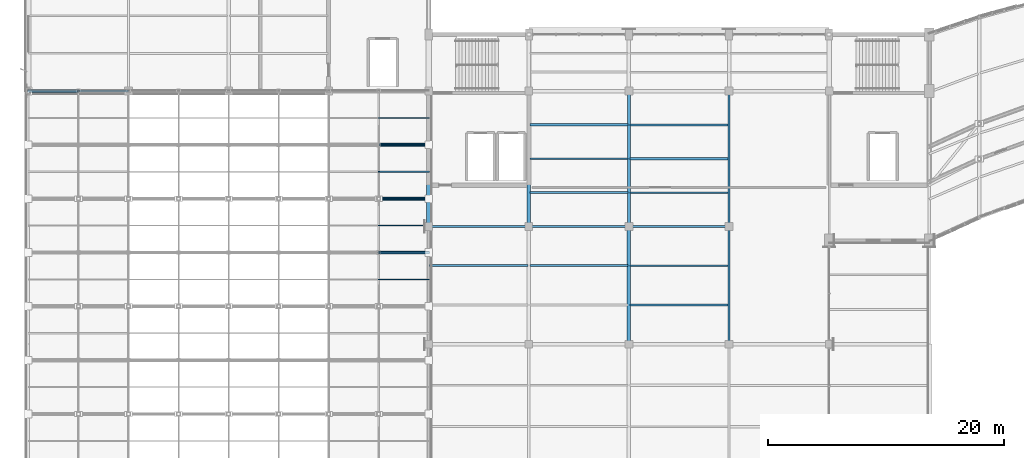
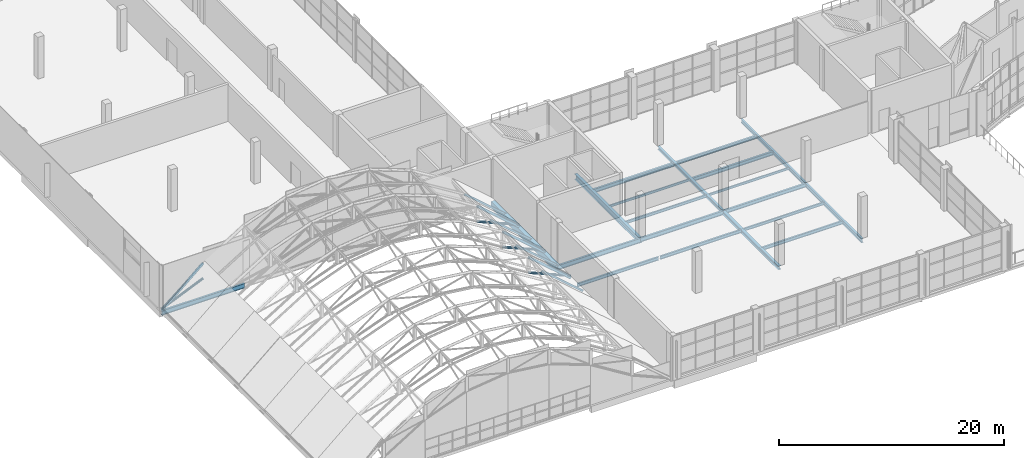
# One storey, part 23 of 86: 20 beams, 16 members.
"""IFC4 building model written with IfcOpenShell, lengths in metres."""

from ifc_helpers import new_model, si_unit, direction, frame, origin, origin_2d, place, context, subcontext, project, spatial, rectangle, hollow_circle, i_section, extrude, material, material_profile, profile_set, type_object, element, save


model = new_model("IFC4")

# Units and contexts
model_context = context("Model", 3, precision=1e-05, world=origin(), true_north=direction((0.0, 1.0)))
body_context = subcontext(model_context, "Body", "Model", "MODEL_VIEW")
ifc_project = project(units=[si_unit("LENGTHUNIT", "METRE"), si_unit("AREAUNIT", "SQUARE_METRE"), si_unit("VOLUMEUNIT", "CUBIC_METRE"), si_unit("PLANEANGLEUNIT", "RADIAN"), si_unit("MASSUNIT", "GRAM", prefix="KILO")], contexts=[model_context])

# Site, building, storey
site_placement = place(None, origin())
site = spatial("IfcSite", under=ifc_project, at=site_placement, CompositionType="ELEMENT")
building_placement = place(site_placement, origin())
building = spatial("IfcBuilding", under=site, at=building_placement, Name="Solvikara Media Centre", CompositionType="ELEMENT")
storey_placement = place(building_placement, frame((0.0, 0.0, 15.0)))
storey = spatial("IfcBuildingStorey", under=building, at=storey_placement, Name="L03", CompositionType="ELEMENT", Elevation=15.0)

# Beams
ifc_material_1 = material(Name="Concrete fc' 35 MPa (C35/45)", Category="concrete")
ifc_material_profile_1 = material_profile(ifc_material_1, rectangle(XDim=0.39990234375, YDim=0.699951171875, at=origin_2d()), Name="RC 400x700")
ifc_profile_set_1 = profile_set([ifc_material_profile_1], Name="Concrete fc' 35 MPa (C35/45)")
beam_type_1 = type_object("IfcBeamType", Name="BM-13", PredefinedType="SPANDREL", material=ifc_profile_set_1)
beam_1_placement = place(storey_placement, frame((34.0, 20.5, -0.6298828125), z_axis=(0.0, 1.0, 0.0), x_axis=(-1.0, 0.0, 0.0)))
element("IfcBeam", 1, at=beam_1_placement, inside=storey, type_object=beam_type_1, Name="B-L03-Y1255", PredefinedType="SPANDREL", context=body_context, shape_type="SweptSolid", body=[
    extrude(rectangle(XDim=0.39990234375, YDim=0.699951171875, at=origin_2d()), origin(), (0.0, 0.0, 1.0), 11.5),
])
ifc_material_2 = material(Name="Steel S355JR", Category="steel")
ifc_material_profile_2 = material_profile(ifc_material_2, i_section(OverallWidth=0.199951171875, OverallDepth=0.5, WebThickness=0.010009765625, FlangeThickness=0.01611328125, at=origin_2d()), Name="WF 500x200x10x16")
ifc_profile_set_2 = profile_set([ifc_material_profile_2], Name="Steel S355JR")
beam_type_2 = type_object("IfcBeamType", Name="BM-19", PredefinedType="BEAM", material=ifc_profile_set_2)
beam_2_placement = place(storey_placement, frame((0.0, 32.0, -0.511962890625), z_axis=(1.0, 0.0, 0.0), x_axis=(0.0, 1.0, 0.0)))
element("IfcBeam", 2, at=beam_2_placement, inside=storey, type_object=beam_type_2, Name="B-L03-X1179", PredefinedType="BEAM", context=body_context, shape_type="SweptSolid", body=[
    extrude(i_section(OverallWidth=0.199951171875, OverallDepth=0.5, WebThickness=0.010009765625, FlangeThickness=0.01611328125, at=origin_2d()), origin(), (0.0, 0.0, 1.0), 8.5),
])
ifc_material_profile_3 = material_profile(ifc_material_2, i_section(OverallWidth=0.199951171875, OverallDepth=0.39990234375, WebThickness=0.008056640625, FlangeThickness=0.012939453125, at=origin_2d()), Name="WF 400x200x8x13")
ifc_profile_set_3 = profile_set([ifc_material_profile_3], Name="Steel S355JR")
beam_type_3 = type_object("IfcBeamType", Name="BM-21", PredefinedType="JOIST", material=ifc_profile_set_3)
for number, where, z_axis, x_axis, name in (
    (3, (42.577880859375, 29.125, -0.48193359375), (1.0, 0.0, 0.0), (0.0, 1.0, 0.0), "J-L03-1385"),
    (4, (51.077880859375, 26.25, -0.48193359375), (1.0, 0.0, 0.0), (0.0, 1.0, 0.0), "J-L03-1393"),
):
    element("IfcBeam", number, at=place(storey_placement, frame(where, z_axis=z_axis, x_axis=x_axis)), inside=storey, type_object=beam_type_3, Name=name, PredefinedType="JOIST", context=body_context, shape_type="SweptSolid", body=[
        extrude(i_section(OverallWidth=0.199951171875, OverallDepth=0.39990234375, WebThickness=0.008056640625, FlangeThickness=0.012939453125, at=origin_2d()), origin(), (0.0, 0.0, 1.0), 8.34423828125),
    ])
ifc_material_profile_4 = material_profile(ifc_material_2, i_section(OverallWidth=0.175048828125, OverallDepth=0.35009765625, WebThickness=0.007080078125, FlangeThickness=0.010986328125, at=origin_2d()), Name="WF 350x175x7x11")
ifc_profile_set_4 = profile_set([ifc_material_profile_4], Name="Steel S355JR")
beam_type_4 = type_object("IfcBeamType", Name="BM-22", PredefinedType="JOIST", material=ifc_profile_set_4)
for number, where, z_axis, x_axis, name in (
    (5, (34.077880859375, 17.1669921875, -0.45703125), (1.0, 0.0, 0.0), (0.0, 1.0, 0.0), "J-L03-1378"),
    (6, (51.077880859375, 29.125, -0.45703125), (1.0, 0.0, 0.0), (0.0, 1.0, 0.0), "J-L03-1394"),
):
    element("IfcBeam", number, at=place(storey_placement, frame(where, z_axis=z_axis, x_axis=x_axis)), inside=storey, type_object=beam_type_4, Name=name, PredefinedType="JOIST", context=body_context, shape_type="SweptSolid", body=[
        extrude(i_section(OverallWidth=0.175048828125, OverallDepth=0.35009765625, WebThickness=0.007080078125, FlangeThickness=0.010986328125, at=origin_2d()), origin(), (0.0, 0.0, 1.0), 8.34423828125),
    ])
ifc_material_profile_5 = material_profile(ifc_material_2, i_section(OverallWidth=0.300048828125, OverallDepth=0.587890625, WebThickness=0.011962890625, FlangeThickness=0.02001953125, at=origin_2d()), Name="H 588x300x12x20")
ifc_profile_set_5 = profile_set([ifc_material_profile_5], Name="Steel S355JR")
beam_type_5 = type_object("IfcBeamType", Name="BM-26", PredefinedType="BEAM", material=ifc_profile_set_5)
beam_3_placement = place(storey_placement, frame((42.5, 20.5, -0.575927734375), z_axis=(0.0, 1.0, 0.0), x_axis=(-1.0, 0.0, 0.0)))
element("IfcBeam", 7, at=beam_3_placement, inside=storey, type_object=beam_type_5, Name="B-L03-Y1266", PredefinedType="BEAM", context=body_context, shape_type="SweptSolid", body=[
    extrude(i_section(OverallWidth=0.300048828125, OverallDepth=0.587890625, WebThickness=0.011962890625, FlangeThickness=0.02001953125, at=origin_2d()), origin(), (0.0, 0.0, 1.0), 11.5),
])
ifc_material_profile_6 = material_profile(ifc_material_2, i_section(OverallWidth=0.300048828125, OverallDepth=0.389892578125, WebThickness=0.010009765625, FlangeThickness=0.01611328125, at=origin_2d()), Name="H 390x300x10x16")
ifc_profile_set_6 = profile_set([ifc_material_profile_6], Name="Steel S355JR")
beam_type_6 = type_object("IfcBeamType", Name="BM-29", PredefinedType="BEAM", material=ifc_profile_set_6)
beam_4_placement = place(storey_placement, frame((51.0, 10.5, -0.47705078125), z_axis=(0.0, 1.0, 0.0), x_axis=(-1.0, 0.0, 0.0)))
element("IfcBeam", 8, at=beam_4_placement, inside=storey, type_object=beam_type_6, Name="B-L03-Y1269", PredefinedType="BEAM", context=body_context, shape_type="SweptSolid", body=[
    extrude(i_section(OverallWidth=0.300048828125, OverallDepth=0.389892578125, WebThickness=0.010009765625, FlangeThickness=0.01611328125, at=origin_2d()), origin(), (0.0, 0.0, 1.0), 10.0),
])
ifc_material_profile_7 = material_profile(ifc_material_2, i_section(OverallWidth=0.25, OverallDepth=0.340087890625, WebThickness=0.009033203125, FlangeThickness=0.013916015625, at=origin_2d()), Name="H 340x250x9x14")
ifc_profile_set_7 = profile_set([ifc_material_profile_7], Name="Steel S355JR")
beam_type_7 = type_object("IfcBeamType", Name="BM-30", PredefinedType="BEAM", material=ifc_profile_set_7)
beam_5_placement = place(storey_placement, frame((51.0, 20.5, -0.451904296875), z_axis=(0.0, 1.0, 0.0), x_axis=(-1.0, 0.0, 0.0)))
element("IfcBeam", 9, at=beam_5_placement, inside=storey, type_object=beam_type_7, Name="B-L03-Y1270", PredefinedType="BEAM", context=body_context, shape_type="SweptSolid", body=[
    extrude(i_section(OverallWidth=0.25, OverallDepth=0.340087890625, WebThickness=0.009033203125, FlangeThickness=0.013916015625, at=origin_2d()), origin(), (0.0, 0.0, 1.0), 11.5),
])
ifc_material_profile_8 = material_profile(ifc_material_2, i_section(OverallWidth=0.174072265625, OverallDepth=0.345947265625, WebThickness=0.006103515625, FlangeThickness=0.009033203125, at=origin_2d()), Name="WF 346x174x6x9")
ifc_profile_set_8 = profile_set([ifc_material_profile_8], Name="Steel S355JR")
beam_type_8 = type_object("IfcBeamType", Name="BM-38", PredefinedType="JOIST", material=ifc_profile_set_8)
for number, where, z_axis, x_axis, name in (
    (10, (42.577880859375, 17.1669921875, -0.455078125), (1.0, 0.0, 0.0), (0.0, 1.0, 0.0), "J-L03-1382"),
    (11, (51.077880859375, 13.8330078125, -0.455078125), (1.0, 0.0, 0.0), (0.0, 1.0, 0.0), "J-L03-1390"),
):
    element("IfcBeam", number, at=place(storey_placement, frame(where, z_axis=z_axis, x_axis=x_axis)), inside=storey, type_object=beam_type_8, Name=name, PredefinedType="JOIST", context=body_context, shape_type="SweptSolid", body=[
        extrude(i_section(OverallWidth=0.174072265625, OverallDepth=0.345947265625, WebThickness=0.006103515625, FlangeThickness=0.009033203125, at=origin_2d()), origin(), (0.0, 0.0, 1.0), 8.34423828125),
    ])
ifc_material_profile_9 = material_profile(ifc_material_2, i_section(OverallWidth=0.14892578125, OverallDepth=0.298095703125, WebThickness=0.005615234375, FlangeThickness=0.008056640625, at=origin_2d()), Name="WF 298x149x5.5x8")
ifc_profile_set_9 = profile_set([ifc_material_profile_9], Name="Steel S355JR")
beam_type_9 = type_object("IfcBeamType", Name="BM-39", PredefinedType="JOIST", material=ifc_profile_set_9)
for number, where, z_axis, x_axis, name in (
    (12, (42.577880859375, 23.375, -0.430908203125), (1.0, 0.0, 0.0), (0.0, 1.0, 0.0), "J-L03-1383"),
    (13, (51.077880859375, 17.1669921875, -0.430908203125), (1.0, 0.0, 0.0), (0.0, 1.0, 0.0), "J-L03-1391"),
):
    element("IfcBeam", number, at=place(storey_placement, frame(where, z_axis=z_axis, x_axis=x_axis)), inside=storey, type_object=beam_type_9, Name=name, PredefinedType="JOIST", context=body_context, shape_type="SweptSolid", body=[
        extrude(i_section(OverallWidth=0.14892578125, OverallDepth=0.298095703125, WebThickness=0.005615234375, FlangeThickness=0.008056640625, at=origin_2d()), origin(), (0.0, 0.0, 1.0), 8.34423828125),
    ])
ifc_material_profile_10 = material_profile(ifc_material_2, i_section(OverallWidth=0.1240234375, OverallDepth=0.248046875, WebThickness=0.0048828125, FlangeThickness=0.008056640625, at=origin_2d()), Name="WF 248x124x5x8")
ifc_profile_set_10 = profile_set([ifc_material_profile_10], Name="Steel S355JR")
beam_type_10 = type_object("IfcBeamType", Name="BM-40", PredefinedType="JOIST", material=ifc_profile_set_10)
for number, where, z_axis, x_axis, name in (
    (14, (42.577880859375, 26.25, -0.406005859375), (1.0, 0.0, 0.0), (0.0, 1.0, 0.0), "J-L03-1384"),
    (15, (51.077880859375, 23.375, -0.406005859375), (1.0, 0.0, 0.0), (0.0, 1.0, 0.0), "J-L03-1392"),
):
    element("IfcBeam", number, at=place(storey_placement, frame(where, z_axis=z_axis, x_axis=x_axis)), inside=storey, type_object=beam_type_10, Name=name, PredefinedType="JOIST", context=body_context, shape_type="SweptSolid", body=[
        extrude(i_section(OverallWidth=0.1240234375, OverallDepth=0.248046875, WebThickness=0.0048828125, FlangeThickness=0.008056640625, at=origin_2d()), origin(), (0.0, 0.0, 1.0), 8.34423828125),
    ])
ifc_material_profile_11 = material_profile(ifc_material_2, i_section(OverallWidth=0.198974609375, OverallDepth=0.49609375, WebThickness=0.009033203125, FlangeThickness=0.013916015625, at=origin_2d()), Name="H 496x199x9x14")
ifc_profile_set_11 = profile_set([ifc_material_profile_11], Name="Steel S355JR")
beam_type_11 = type_object("IfcBeamType", Name="BM-42", PredefinedType="BEAM", material=ifc_profile_set_11)
beam_6_placement = place(storey_placement, frame((34.0, 20.5, -0.530029296875), z_axis=(1.0, 0.0, 0.0), x_axis=(0.0, 1.0, 0.0)))
element("IfcBeam", 16, at=beam_6_placement, inside=storey, type_object=beam_type_11, Name="B-L03-X1174", PredefinedType="BEAM", context=body_context, shape_type="SweptSolid", body=[
    extrude(i_section(OverallWidth=0.198974609375, OverallDepth=0.49609375, WebThickness=0.009033203125, FlangeThickness=0.013916015625, at=origin_2d()), origin(), (0.0, 0.0, 1.0), 8.5),
])
ifc_material_profile_12 = material_profile(ifc_material_2, i_section(OverallWidth=0.198974609375, OverallDepth=0.446044921875, WebThickness=0.008056640625, FlangeThickness=0.011962890625, at=origin_2d()), Name="H 446x199x8x12")
ifc_profile_set_12 = profile_set([ifc_material_profile_12], Name="Steel S355JR")
beam_type_12 = type_object("IfcBeamType", Name="BM-43", PredefinedType="BEAM", material=ifc_profile_set_12)
beam_7_placement = place(storey_placement, frame((42.5, 20.5, -0.5048828125), z_axis=(1.0, 0.0, 0.0), x_axis=(0.0, 1.0, 0.0)))
element("IfcBeam", 17, at=beam_7_placement, inside=storey, type_object=beam_type_12, Name="B-L03-X1175", PredefinedType="BEAM", context=body_context, shape_type="SweptSolid", body=[
    extrude(i_section(OverallWidth=0.198974609375, OverallDepth=0.446044921875, WebThickness=0.008056640625, FlangeThickness=0.011962890625, at=origin_2d()), origin(), (0.0, 0.0, 1.0), 8.5),
])
beam_8_placement = place(storey_placement, frame((59.5, 10.5, -0.5048828125), z_axis=(0.0, 1.0, 0.0), x_axis=(-1.0, 0.0, 0.0)))
element("IfcBeam", 18, at=beam_8_placement, inside=storey, type_object=beam_type_12, Name="B-L03-Y1273", PredefinedType="BEAM", context=body_context, shape_type="SweptSolid", body=[
    extrude(i_section(OverallWidth=0.198974609375, OverallDepth=0.446044921875, WebThickness=0.008056640625, FlangeThickness=0.011962890625, at=origin_2d()), origin(), (0.0, 0.0, 1.0), 10.0),
])
ifc_material_profile_13 = material_profile(ifc_material_2, i_section(OverallWidth=0.198974609375, OverallDepth=0.39599609375, WebThickness=0.007080078125, FlangeThickness=0.010986328125, at=origin_2d()), Name="H 396x199x7x11")
ifc_profile_set_13 = profile_set([ifc_material_profile_13], Name="Steel S355JR")
beam_type_13 = type_object("IfcBeamType", Name="BM-44", PredefinedType="BEAM", material=ifc_profile_set_13)
beam_9_placement = place(storey_placement, frame((51.0, 20.5, -0.47998046875), z_axis=(1.0, 0.0, 0.0), x_axis=(0.0, 1.0, 0.0)))
element("IfcBeam", 19, at=beam_9_placement, inside=storey, type_object=beam_type_13, Name="B-L03-X1176", PredefinedType="BEAM", context=body_context, shape_type="SweptSolid", body=[
    extrude(i_section(OverallWidth=0.198974609375, OverallDepth=0.39599609375, WebThickness=0.007080078125, FlangeThickness=0.010986328125, at=origin_2d()), origin(), (0.0, 0.0, 1.0), 8.5),
])
beam_10_placement = place(storey_placement, frame((59.5, 20.5, -0.47998046875), z_axis=(0.0, 1.0, 0.0), x_axis=(-1.0, 0.0, 0.0)))
element("IfcBeam", 20, at=beam_10_placement, inside=storey, type_object=beam_type_13, Name="B-L03-Y1274", PredefinedType="BEAM", context=body_context, shape_type="SweptSolid", body=[
    extrude(i_section(OverallWidth=0.198974609375, OverallDepth=0.39599609375, WebThickness=0.007080078125, FlangeThickness=0.010986328125, at=origin_2d()), origin(), (0.0, 0.0, 1.0), 11.5),
])

# Members
ifc_material_profile_14 = material_profile(ifc_material_2, hollow_circle(Radius=0.136474609375, WallThickness=0.010009765625, at=origin_2d()), Name="CHS 273x10")
ifc_profile_set_14 = profile_set([ifc_material_profile_14], Name="Steel S355JR")
member_type_1 = type_object("IfcMemberType", Name="MB-03", PredefinedType="CHORD", material=ifc_profile_set_14)
for number, where, z_axis, x_axis, name in (
    (21, (29.75, 18.285888671875, 3.3798828125), (0.756439869263, 0.0, -0.654063241736), (0.0, 1.0, 0.0), "Space Frame Vault Chord GC-TC-04-07"),
    (22, (29.75, 22.85693359375, 3.3798828125), (0.756439869263, 0.0, -0.654063241736), (0.0, 1.0, 0.0), "Space Frame Vault Chord GC-TC-05-07"),
    (23, (29.75, 27.428955078125, 3.3798828125), (0.756439869263, 0.0, -0.654063241736), (0.0, 1.0, 0.0), "Space Frame Vault Chord GC-TC-06-07"),
    (24, (0.0, 32.0, -0.294921875), (0.756439869263, 0.0, 0.654063241736), (0.0, 1.0, 0.0), "Space Frame Vault Chord GC-TC-07-00"),
):
    element("IfcMember", number, at=place(storey_placement, frame(where, z_axis=z_axis, x_axis=x_axis)), inside=storey, type_object=member_type_1, Name=name, PredefinedType="CHORD", context=body_context, shape_type="SweptSolid", body=[
        extrude(hollow_circle(Radius=0.136474609375, WallThickness=0.010009765625, at=origin_2d()), origin(), (0.0, 0.0, 1.0), 5.618408203125),
    ])
ifc_material_profile_15 = material_profile(ifc_material_2, hollow_circle(Radius=0.122314453125, WallThickness=0.010009765625, at=origin_2d()), Name="CHS 244.5x10")
ifc_profile_set_15 = profile_set([ifc_material_profile_15], Name="Steel S355JR")
member_type_2 = type_object("IfcMemberType", Name="MB-04", PredefinedType="CHORD", material=ifc_profile_set_15)
for number, where, z_axis, x_axis, name in (
    (25, (29.75, 18.285888671875, 1.72998046875), (0.918466874624, 0.0, -0.395497914303), (0.0, 1.0, 0.0), "GC-BC-04-07"),
    (26, (29.75, 22.85693359375, 1.72998046875), (0.918466874624, 0.0, -0.395497914303), (0.0, 1.0, 0.0), "GC-BC-05-07"),
    (27, (29.75, 27.428955078125, 1.72998046875), (0.918466874624, 0.0, -0.395497914303), (0.0, 1.0, 0.0), "GC-BC-06-07"),
    (28, (0.0, 32.0, -0.10009765625), (0.918466874624, 0.0, 0.395497914303), (0.0, 1.0, 0.0), "GC-BC-07-00"),
):
    element("IfcMember", number, at=place(storey_placement, frame(where, z_axis=z_axis, x_axis=x_axis)), inside=storey, type_object=member_type_2, Name=name, PredefinedType="CHORD", context=body_context, shape_type="SweptSolid", body=[
        extrude(hollow_circle(Radius=0.122314453125, WallThickness=0.010009765625, at=origin_2d()), origin(), (0.0, 0.0, 1.0), 4.627197265625),
    ])
ifc_material_profile_16 = material_profile(ifc_material_2, hollow_circle(Radius=0.084228515625, WallThickness=0.007080078125, at=origin_2d()), Name="CHS 168.3x7.1")
ifc_profile_set_16 = profile_set([ifc_material_profile_16], Name="Steel S355JR")
member_type_3 = type_object("IfcMemberType", Name="MB-07", PredefinedType="BRACE", material=ifc_profile_set_16)
for number, where, z_axis, x_axis, name in (
    (29, (29.75, 18.285888671875, 3.3798828125), (0.773715650361, 0.0, -0.633533023911), (0.0, 1.0, 0.0), "GC-DG-04-07"),
    (30, (29.75, 22.85693359375, 3.3798828125), (0.773715650361, 0.0, -0.633533023911), (0.0, 1.0, 0.0), "GC-DG-05-07"),
    (31, (29.75, 27.428955078125, 3.3798828125), (0.773715650361, 0.0, -0.633533023911), (0.0, 1.0, 0.0), "GC-DG-06-07"),
    (32, (0.0, 32.0, -0.10009765625), (0.773715650361, 0.0, 0.633533023911), (0.0, 1.0, 0.0), "GC-DG-07-00"),
):
    element("IfcMember", number, at=place(storey_placement, frame(where, z_axis=z_axis, x_axis=x_axis)), inside=storey, type_object=member_type_3, Name=name, PredefinedType="BRACE", context=body_context, shape_type="SweptSolid", body=[
        extrude(hollow_circle(Radius=0.084228515625, WallThickness=0.007080078125, at=origin_2d()), origin(), (0.0, 0.0, 1.0), 5.492919921875),
    ])
ifc_material_profile_17 = material_profile(ifc_material_2, i_section(OverallWidth=0.10009765625, OverallDepth=0.199951171875, WebThickness=0.005615234375, FlangeThickness=0.008056640625, at=origin_2d()), Name="WF 200x100x5.5x8")
ifc_profile_set_17 = profile_set([ifc_material_profile_17], Name="Steel S355JR")
member_type_4 = type_object("IfcMemberType", Name="MB-21", PredefinedType="PURLIN", material=ifc_profile_set_17)
for number, where, z_axis, x_axis, name in (
    (33, (29.75, 16.0, 3.31494140625), (0.756418370394, 0.0, -0.654088104868), (0.0, 1.0, 0.0), "GC-SUB-03-07"),
    (34, (29.75, 20.572021484375, 3.31494140625), (0.756418370394, 0.0, -0.654088104868), (0.0, 1.0, 0.0), "GC-SUB-04-07"),
    (35, (29.75, 25.14306640625, 3.31494140625), (0.756418370394, 0.0, -0.654088104868), (0.0, 1.0, 0.0), "GC-SUB-05-07"),
    (36, (29.75, 29.715087890625, 3.31494140625), (0.756418370394, 0.0, -0.654088104868), (0.0, 1.0, 0.0), "GC-SUB-06-07"),
):
    element("IfcMember", number, at=place(storey_placement, frame(where, z_axis=z_axis, x_axis=x_axis)), inside=storey, type_object=member_type_4, Name=name, PredefinedType="PURLIN", context=body_context, shape_type="SweptSolid", body=[
        extrude(i_section(OverallWidth=0.10009765625, OverallDepth=0.199951171875, WebThickness=0.005615234375, FlangeThickness=0.008056640625, at=origin_2d()), origin(), (0.0, 0.0, 1.0), 5.61865234375),
    ])

save(model, "model.ifc")
